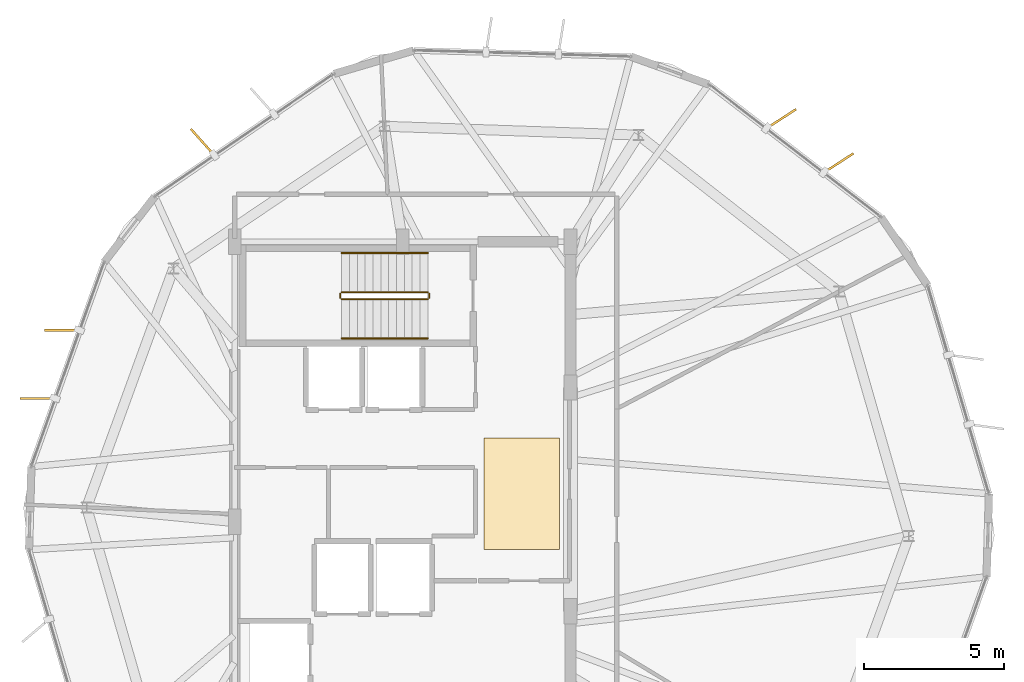
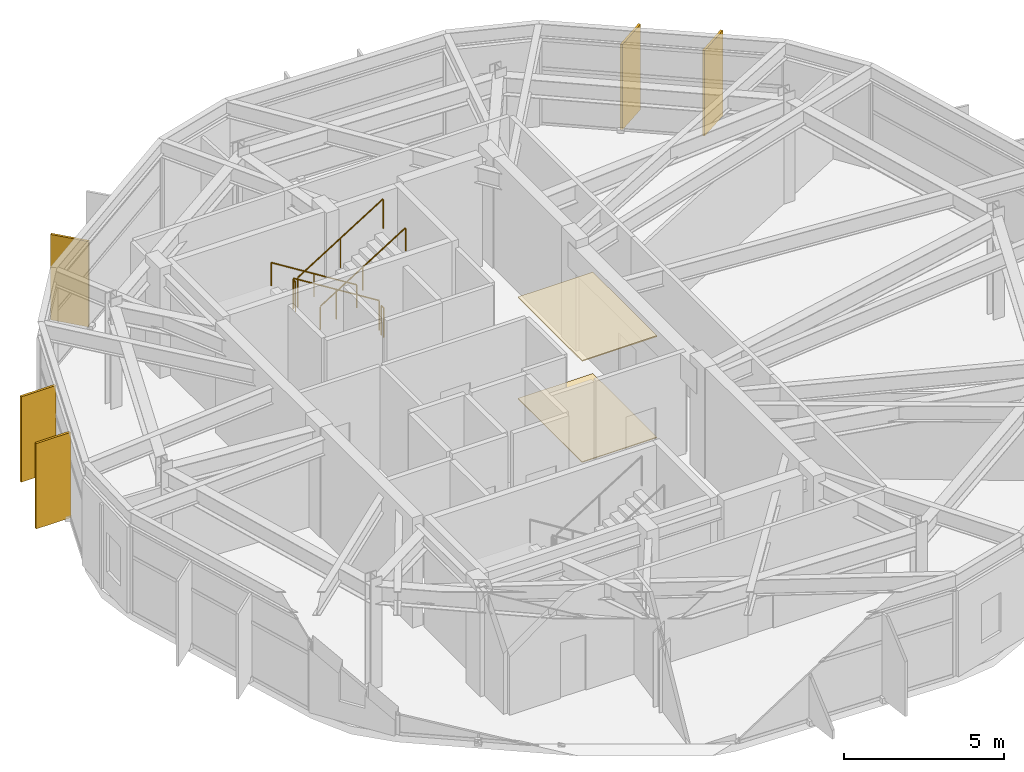
# One storey, part 19 of 20: 6 railings, 5 shading devices, 2 coverings.
"""IFC4 building model written with IfcOpenShell, lengths in metres."""

from ifc_helpers import new_model, si_unit, direction, frame, origin, origin_2d, place, context, subcontext, project, spatial, polyline, rectangle, circle, outline, extrude, material, layer, layer_set, type_object, element, save


model = new_model("IFC4")

# Units and contexts
model_context = context("Model", 3, precision=1e-05, world=origin(), true_north=direction((0.0, 1.0)))
body_context = subcontext(model_context, "Body", "Model", "MODEL_VIEW")
ifc_project = project(units=[si_unit("LENGTHUNIT", "METRE"), si_unit("AREAUNIT", "SQUARE_METRE"), si_unit("VOLUMEUNIT", "CUBIC_METRE"), si_unit("PLANEANGLEUNIT", "RADIAN"), si_unit("MASSUNIT", "GRAM", prefix="KILO")], contexts=[model_context])

# Site, building, storey
site_placement = place(None, origin())
site = spatial("IfcSite", under=ifc_project, at=site_placement, CompositionType="ELEMENT")
building_placement = place(site_placement, origin())
building = spatial("IfcBuilding", under=site, at=building_placement, Name="Soratama Intermodal Tower", CompositionType="ELEMENT")
storey_placement = place(building_placement, frame((0.0, 0.0, 293.050048828125)))
storey = spatial("IfcBuildingStorey", under=building, at=storey_placement, Name="L74", CompositionType="ELEMENT", Elevation=293.050048828125)

# Coverings
ifc_material_1 = material(Name="Perforated mineral acoustic ceiling", Category="concrete")
ifc_layer_1 = layer(ifc_material_1, 0.0400390625)
ifc_layer_set_1 = layer_set([ifc_layer_1], Name="Perforated mineral acoustic ceiling")
covering_type_1 = type_object("IfcCoveringType", Name="CV-CEIL-ACOUSTIC", PredefinedType="CEILING", material=ifc_layer_set_1)
covering_1_placement = place(storey_placement, frame((0.0, 0.0, 3.85498046875)))
element("IfcCovering", 1, at=covering_1_placement, inside=storey, type_object=covering_type_1, Name="L74 Acoustic Ceiling", PredefinedType="CEILING", context=body_context, shape_type="SweptSolid", body=[
    extrude(outline(polyline([(41.5, 24.0), (44.199951171875, 24.0), (44.199951171875, 28.0), (41.5, 28.0), (41.5, 24.0)])), origin(), (0.0, 0.0, 1.0), 0.0400390625),
])
ifc_material_2 = material(Name="Polished Andean stone terrazzo flooring", Category="masonry")
ifc_layer_2 = layer(ifc_material_2, 0.030029296875)
ifc_layer_set_2 = layer_set([ifc_layer_2], Name="Polished Andean stone terrazzo flooring")
covering_type_2 = type_object("IfcCoveringType", Name="CV-FLOR-TERRAZZO", PredefinedType="FLOORING", material=ifc_layer_set_2)
covering_2_placement = place(storey_placement, origin())
element("IfcCovering", 2, at=covering_2_placement, inside=storey, type_object=covering_type_2, Name="L74 Lobby Terrazzo Flooring", PredefinedType="FLOORING", context=body_context, shape_type="SweptSolid", body=[
    extrude(outline(polyline([(41.5, 24.0), (44.199951171875, 24.0), (44.199951171875, 28.0), (41.5, 28.0), (41.5, 24.0)])), origin(), (0.0, 0.0, 1.0), 0.030029296875),
])

# Railings
ifc_material_3 = material(Name="Painted steel stair guardrail", Category="steel")
railing_type_1 = type_object("IfcRailingType", Name="RL-STAIR-GUARD", PredefinedType="GUARDRAIL", material=ifc_material_3)
railing_1_placement = place(storey_placement, frame((39.5, 33.199951171875, 0.175048828125)))
element("IfcRailing", 3, at=railing_1_placement, inside=storey, type_object=railing_type_1, Name="L74 ST-2 stair guard 1", PredefinedType="GUARDRAIL", context=body_context, shape_type="SweptSolid", body=[
    extrude(circle(Radius=0.02392578125, at=origin_2d()), frame((0.0, 0.0, 1.1259765625), z_axis=(-0.848028513186, 0.0, 0.529950602248), x_axis=(0.0, -1.0, 0.0)), (0.0, 0.0, 1.0), 3.632080078125),
    extrude(circle(Radius=0.02099609375, at=origin_2d()), origin(), (0.0, 0.0, 1.0), 1.101806640625),
    extrude(circle(Radius=0.02099609375, at=origin_2d()), frame((-1.5400390625, 0.0, 0.96240234375)), (0.0, 0.0, 1.0), 1.101806640625),
    extrude(circle(Radius=0.02099609375, at=origin_2d()), frame((-3.080078125, 0.0, 1.9248046875)), (0.0, 0.0, 1.0), 1.101806640625),
])
railing_2_placement = place(storey_placement, frame((36.3701171875, 33.14990234375, 2.099853515625)))
element("IfcRailing", 4, at=railing_2_placement, inside=storey, type_object=railing_type_1, Name="L74 ST-2 stair guard 2", PredefinedType="GUARDRAIL", context=body_context, shape_type="SweptSolid", body=[
    extrude(circle(Radius=0.02392578125, at=origin_2d()), frame((0.0, 0.0, 1.1259765625), z_axis=(0.0, -1.0, 0.0), x_axis=(1.0, 0.0, 0.0)), (0.0, 0.0, 1.0), 0.14990234375),
    extrude(circle(Radius=0.02099609375, at=origin_2d()), origin(), (0.0, 0.0, 1.0), 1.101806640625),
    extrude(circle(Radius=0.02099609375, at=origin_2d()), frame((0.0, -0.14990234375, 0.0)), (0.0, 0.0, 1.0), 1.101806640625),
])
railing_3_placement = place(storey_placement, frame((36.419921875, 32.949951171875, 2.27490234375)))
element("IfcRailing", 5, at=railing_3_placement, inside=storey, type_object=railing_type_1, Name="L74 ST-2 stair guard 3", PredefinedType="GUARDRAIL", context=body_context, shape_type="SweptSolid", body=[
    extrude(circle(Radius=0.02392578125, at=origin_2d()), frame((0.0, 0.0, 1.1259765625), z_axis=(0.847998304005, 0.0, 0.529998940003), x_axis=(0.0, 1.0, 0.0)), (0.0, 0.0, 1.0), 3.632080078125),
    extrude(circle(Radius=0.02099609375, at=origin_2d()), origin(), (0.0, 0.0, 1.0), 1.101806640625),
    extrude(circle(Radius=0.02099609375, at=origin_2d()), frame((1.5400390625, 0.0, 0.96240234375)), (0.0, 0.0, 1.0), 1.101806640625),
    extrude(circle(Radius=0.02099609375, at=origin_2d()), frame((3.080078125, 0.0, 1.925048828125)), (0.0, 0.0, 1.0), 1.101806640625),
])
railing_4_placement = place(storey_placement, frame((39.550048828125, 33.14990234375, 0.0)))
element("IfcRailing", 6, at=railing_4_placement, inside=storey, type_object=railing_type_1, Name="L74 ST-2 stair guard 4", PredefinedType="GUARDRAIL", context=body_context, shape_type="SweptSolid", body=[
    extrude(circle(Radius=0.02392578125, at=origin_2d()), frame((0.0, 0.0, 1.1259765625), z_axis=(0.0, -1.0, 0.0), x_axis=(1.0, 0.0, 0.0)), (0.0, 0.0, 1.0), 0.14990234375),
    extrude(circle(Radius=0.02099609375, at=origin_2d()), origin(), (0.0, 0.0, 1.0), 1.101806640625),
    extrude(circle(Radius=0.02099609375, at=origin_2d()), frame((0.0, -0.14990234375, 0.0)), (0.0, 0.0, 1.0), 1.101806640625),
])
ifc_material_4 = material(Name="Brushed stainless steel handrail", Category="steel")
railing_type_2 = type_object("IfcRailingType", Name="RL-STAIR-HAND", PredefinedType="HANDRAIL", material=ifc_material_4)
railing_5_placement = place(storey_placement, frame((39.5, 34.60009765625, 0.175048828125)))
element("IfcRailing", 7, at=railing_5_placement, inside=storey, type_object=railing_type_2, Name="L74 ST-2 stair handrail 1", PredefinedType="HANDRAIL", context=body_context, shape_type="SweptSolid", body=[
    extrude(circle(Radius=0.02392578125, at=origin_2d()), frame((0.0, 0.0, 0.8759765625), z_axis=(-0.848028513186, 0.0, 0.529950602248), x_axis=(0.0, -1.0, 0.0)), (0.0, 0.0, 1.0), 3.632080078125),
    extrude(circle(Radius=0.02099609375, at=origin_2d()), origin(), (0.0, 0.0, 1.0), 0.851806640625),
    extrude(circle(Radius=0.02099609375, at=origin_2d()), frame((-1.5400390625, 0.0, 0.96240234375)), (0.0, 0.0, 1.0), 0.851806640625),
    extrude(circle(Radius=0.02099609375, at=origin_2d()), frame((-3.080078125, 0.0, 1.9248046875)), (0.0, 0.0, 1.0), 0.851806640625),
])
railing_6_placement = place(storey_placement, frame((36.419921875, 31.550048828125, 2.27490234375)))
element("IfcRailing", 8, at=railing_6_placement, inside=storey, type_object=railing_type_2, Name="L74 ST-2 stair handrail 2", PredefinedType="HANDRAIL", context=body_context, shape_type="SweptSolid", body=[
    extrude(circle(Radius=0.02392578125, at=origin_2d()), frame((0.0, 0.0, 0.8759765625), z_axis=(0.847998304005, 0.0, 0.529998940003), x_axis=(0.0, 1.0, 0.0)), (0.0, 0.0, 1.0), 3.632080078125),
    extrude(circle(Radius=0.02099609375, at=origin_2d()), origin(), (0.0, 0.0, 1.0), 0.851806640625),
    extrude(circle(Radius=0.02099609375, at=origin_2d()), frame((1.5400390625, 0.0, 0.96240234375)), (0.0, 0.0, 1.0), 0.851806640625),
    extrude(circle(Radius=0.02099609375, at=origin_2d()), frame((3.080078125, 0.0, 1.925048828125)), (0.0, 0.0, 1.0), 0.851806640625),
])

# Shading devices
ifc_material_5 = material(Name="Champagne anodised aluminium solar fin", Category="aluminium")
ifc_layer_3 = layer(ifc_material_5, 0.080078125)
ifc_layer_set_3 = layer_set([ifc_layer_3], Name="Champagne anodised aluminium solar fin")
shading_device_type = type_object("IfcShadingDeviceType", Name="SH-FIN-1250", PredefinedType="USERDEFINED", material=ifc_layer_set_3)
for number, where, z_axis, x_axis, name in (
    (9, (31.450927734375, 38.565185546875, 0.02001953125), (0.0, 0.0, 1.0), (-0.666532470249, 0.745475999683, 0.0), "L74 Solar Fin F02-2"),
    (10, (26.42236328125, 31.8408203125, 0.02001953125), (0.0, 0.0, 1.0), (-0.999993907658, 0.003490651415, 0.0), "L74 Solar Fin F03-1"),
    (11, (25.55419921875, 29.40478515625, 0.02001953125), (0.0, 0.0, 1.0), (-0.999993907658, 0.003490651415, 0.0), "L74 Solar Fin F03-2"),
    (12, (54.18310546875, 37.81982421875, 0.02001953125), (0.0, 0.0, 1.0), (0.839050593311, 0.544053399827, 0.0), "L74 Solar Fin F10-1"),
    (13, (52.134521484375, 39.3984375, 0.02001953125), (0.0, 0.0, 1.0), (0.839050593311, 0.544053399827, 0.0), "L74 Solar Fin F10-2"),
):
    element("IfcShadingDevice", number, at=place(storey_placement, frame(where, z_axis=z_axis, x_axis=x_axis)), inside=storey, type_object=shading_device_type, Name=name, ObjectType="FIN", PredefinedType="USERDEFINED", context=body_context, shape_type="SweptSolid", body=[
        extrude(rectangle(XDim=1.25, YDim=0.080078125, at=origin_2d()), origin(), (0.0, 0.0, 1.0), 3.25390625),
    ])

save(model, "model.ifc")
